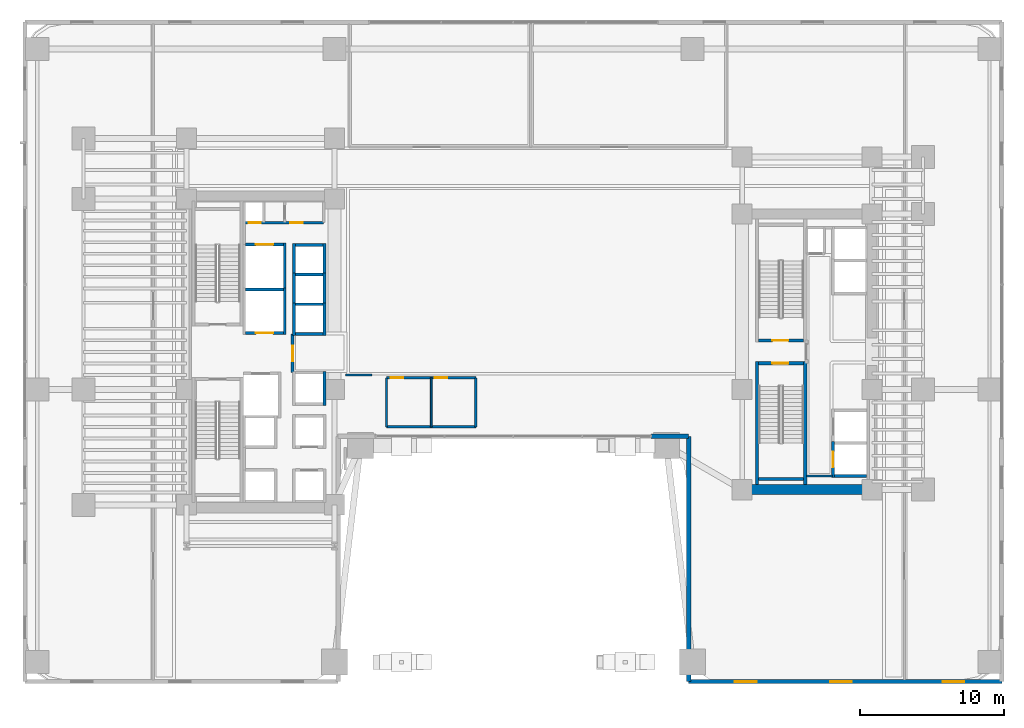
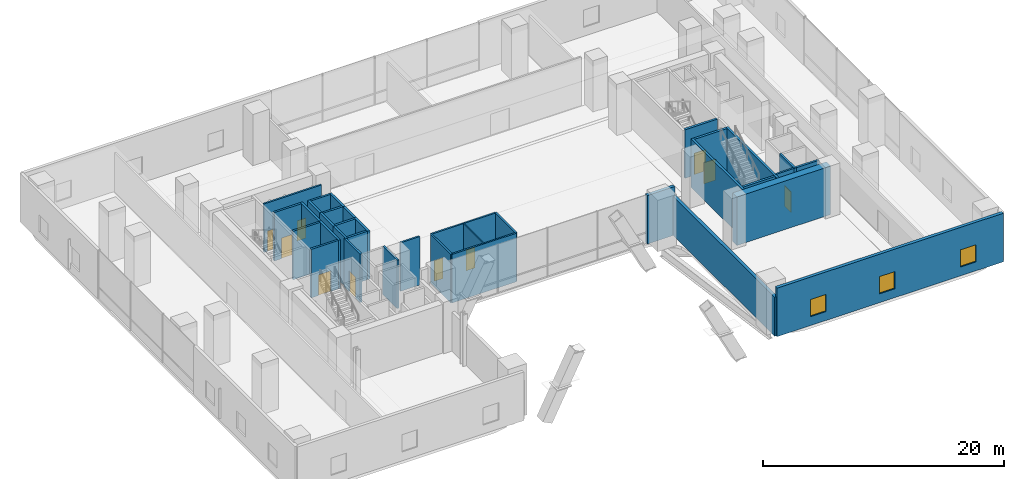
# One storey, part 27 of 39: 36 walls, 10 doors, 3 windows, 13 openings.
"""IFC4 building model written with IfcOpenShell, lengths in metres."""

from ifc_helpers import new_model, si_unit, direction, frame, frame_2d, origin, place, context, subcontext, project, spatial, rectangle, extrude, material, layer, layer_set, type_object, element, fill, save


model = new_model("IFC4")

# Units and contexts
model_context = context("Model", 3, precision=1e-05, world=origin(), true_north=direction((0.0, 1.0)))
body_context = subcontext(model_context, "Body", "Model", "MODEL_VIEW")
ifc_project = project(units=[si_unit("LENGTHUNIT", "METRE"), si_unit("AREAUNIT", "SQUARE_METRE"), si_unit("VOLUMEUNIT", "CUBIC_METRE"), si_unit("PLANEANGLEUNIT", "RADIAN"), si_unit("MASSUNIT", "GRAM", prefix="KILO")], contexts=[model_context])

# Site, building, storey
site_placement = place(None, origin())
site = spatial("IfcSite", under=ifc_project, at=site_placement, CompositionType="ELEMENT")
building_placement = place(site_placement, origin())
building = spatial("IfcBuilding", under=site, at=building_placement, Name="Valdorenza Pilgrim Sanctuary Tower", CompositionType="ELEMENT")
storey_placement = place(building_placement, frame((0.0, 0.0, 10.39990234375)))
storey = spatial("IfcBuildingStorey", under=building, at=storey_placement, Name="L02", CompositionType="ELEMENT", Elevation=10.39990234375)

# Wall, openings, doors
ifc_material_1 = material(Name="Acoustic twin-stud gypsum partition", Category="gypsum")
ifc_layer_1 = layer(ifc_material_1, 0.159912109375, Name="Acoustic twin-stud gypsum partition")
ifc_layer_set_1 = layer_set([ifc_layer_1], Name="Acoustic twin-stud gypsum partition")
wall_type_1 = type_object("IfcWallType", Name="WAL-COR-160", PredefinedType="PARTITIONING", material=ifc_layer_set_1)
wall_1_placement = place(storey_placement, frame((-18.64990234375, 8.949951171875, 0.0), z_axis=(0.0, 0.0, 1.0), x_axis=(1.0, 0.0, 0.0)))
wall_1 = element("IfcWall", 1, at=wall_1_placement, inside=storey, type_object=wall_type_1, Name="L02 Core A North Service South Wall", PredefinedType="PARTITIONING", context=body_context, shape_type="SweptSolid", body=[
    extrude(rectangle(XDim=5.5, YDim=0.159912109375, at=frame_2d((2.75, 0.0))), origin(), (0.0, 0.0, 1.0), 4.920166015625),
])
opening_1_placement = place(wall_1_placement, frame((0.300048828125, 0.0, 0.0)))
opening_1 = element("IfcOpeningElement", 2, at=opening_1_placement, cuts=wall_1, Name="Opening DR-RS1", PredefinedType="OPENING", context=body_context, shape_type="SweptSolid", body=[
    extrude(rectangle(XDim=0.85009765625, YDim=2.050048828125, at=frame_2d((0.425048828125, 1.02490234375))), frame((0.0, 0.0947265625, 0.0), z_axis=(0.0, -1.0, 0.0), x_axis=(1.0, 0.0, 0.0)), (0.0, 0.0, 1.0), 0.189697265625),
])
opening_2_placement = place(wall_1_placement, frame((3.199951171875, 0.0, 0.0)))
opening_2 = element("IfcOpeningElement", 3, at=opening_2_placement, cuts=wall_1, Name="Opening DR-RS1", PredefinedType="OPENING", context=body_context, shape_type="SweptSolid", body=[
    extrude(rectangle(XDim=0.85009765625, YDim=2.050048828125, at=frame_2d((0.425048828125, 1.02490234375))), frame((0.0, 0.0947265625, 0.0), z_axis=(0.0, -1.0, 0.0), x_axis=(1.0, 0.0, 0.0)), (0.0, 0.0, 1.0), 0.189697265625),
])
ifc_material_2 = material(Name="Painted galvanized steel", Category="steel")
door_type_1 = type_object("IfcDoorType", Name="DR-RSR-850", OperationType="NOTDEFINED", PredefinedType="DOOR", material=ifc_material_2)
door_1_placement = place(opening_1_placement, origin())
door_1 = element("IfcDoor", 4, at=door_1_placement, inside=storey, type_object=door_type_1, Name="L02 Core Electrical and Telecom Riser Door", OperationType="SINGLE_SWING_LEFT", OverallHeight=2.050048828125, OverallWidth=0.85009765625, PredefinedType="DOOR", context=body_context, shape_type="SweptSolid", body=[
    extrude(rectangle(XDim=0.85009765625, YDim=2.050048828125, at=frame_2d((0.425048828125, 1.02490234375))), frame((0.0, 0.02490234375, 0.0), z_axis=(0.0, -1.0, 0.0), x_axis=(1.0, 0.0, 0.0)), (0.0, 0.0, 1.0), 0.050048828125),
])
fill(opening_1, door_1)
door_2_placement = place(opening_2_placement, origin())
door_2 = element("IfcDoor", 5, at=door_2_placement, inside=storey, type_object=door_type_1, Name="L02 Core Janitor and Maintenance Store Door", OperationType="SINGLE_SWING_RIGHT", OverallHeight=2.050048828125, OverallWidth=0.85009765625, PredefinedType="DOOR", context=body_context, shape_type="SweptSolid", body=[
    extrude(rectangle(XDim=0.85009765625, YDim=2.050048828125, at=frame_2d((0.425048828125, 1.02490234375))), frame((0.0, 0.02490234375, 0.0), z_axis=(0.0, -1.0, 0.0), x_axis=(1.0, 0.0, 0.0)), (0.0, 0.0, 1.0), 0.050048828125),
])
fill(opening_2, door_2)

# Walls
wall_2_placement = place(storey_placement, frame((20.300048828125, -8.60009765625, 0.0), z_axis=(0.0, 0.0, 1.0), x_axis=(1.0, 0.0, 0.0)))
element("IfcWall", 6, at=wall_2_placement, inside=storey, type_object=wall_type_1, Name="L02 Core B Lift Hall South End Wall", PredefinedType="PARTITIONING", context=body_context, shape_type="SweptSolid", body=[
    extrude(rectangle(XDim=1.820068359375, YDim=0.159912109375, at=frame_2d((0.91015625, 0.0))), origin(), (0.0, 0.0, 1.0), 4.920166015625),
])
for number, where, z_axis, x_axis, name in (
    (7, (-8.800048828125, -5.199951171875, 0.0), (0.0, 0.0, 1.0), (0.0, 1.0, 0.0), "L02 Washroom West Wall"),
    (8, (-2.60009765625, -5.199951171875, 0.0), (0.0, 0.0, 1.0), (0.0, 1.0, 0.0), "L02 Washroom East Wall"),
):
    element("IfcWall", number, at=place(storey_placement, frame(where, z_axis=z_axis, x_axis=x_axis)), inside=storey, type_object=wall_type_1, Name=name, PredefinedType="PARTITIONING", context=body_context, shape_type="SweptSolid", body=[
        extrude(rectangle(XDim=3.39990234375, YDim=0.159912109375, at=frame_2d((1.699951171875, 0.0))), origin(), (0.0, 0.0, 1.0), 4.920166015625),
    ])
wall_3_placement = place(storey_placement, frame((-8.800048828125, -5.199951171875, 0.0), z_axis=(0.0, 0.0, 1.0), x_axis=(1.0, 0.0, 0.0)))
element("IfcWall", 9, at=wall_3_placement, inside=storey, type_object=wall_type_1, Name="L02 Washroom South Wall", PredefinedType="PARTITIONING", context=body_context, shape_type="SweptSolid", body=[
    extrude(rectangle(XDim=6.199951171875, YDim=0.159912109375, at=frame_2d((3.10009765625, 0.0))), origin(), (0.0, 0.0, 1.0), 4.920166015625),
])

# Wall, openings, doors
wall_4_placement = place(storey_placement, frame((-8.800048828125, -1.800048828125, 0.0), z_axis=(0.0, 0.0, 1.0), x_axis=(1.0, 0.0, 0.0)))
wall_4 = element("IfcWall", 10, at=wall_4_placement, inside=storey, type_object=wall_type_1, Name="L02 Washroom North Wall", PredefinedType="PARTITIONING", context=body_context, shape_type="SweptSolid", body=[
    extrude(rectangle(XDim=6.199951171875, YDim=0.159912109375, at=frame_2d((3.10009765625, 0.0))), origin(), (0.0, 0.0, 1.0), 4.920166015625),
])
opening_3_placement = place(wall_4_placement, frame((0.300048828125, 0.0, 0.0)))
opening_3 = element("IfcOpeningElement", 11, at=opening_3_placement, cuts=wall_4, Name="Opening DR-WC1", PredefinedType="OPENING", context=body_context, shape_type="SweptSolid", body=[
    extrude(rectangle(XDim=0.85009765625, YDim=2.10009765625, at=frame_2d((0.425048828125, 1.050048828125))), frame((0.0, 0.0947265625, 0.0), z_axis=(0.0, -1.0, 0.0), x_axis=(1.0, 0.0, 0.0)), (0.0, 0.0, 1.0), 0.189697265625),
])
opening_4_placement = place(wall_4_placement, frame((3.35009765625, 0.0, 0.0)))
opening_4 = element("IfcOpeningElement", 12, at=opening_4_placement, cuts=wall_4, Name="Opening DR-WC1", PredefinedType="OPENING", context=body_context, shape_type="SweptSolid", body=[
    extrude(rectangle(XDim=0.85009765625, YDim=2.10009765625, at=frame_2d((0.425048828125, 1.050048828125))), frame((0.0, 0.0947265625, 0.0), z_axis=(0.0, -1.0, 0.0), x_axis=(1.0, 0.0, 0.0)), (0.0, 0.0, 1.0), 0.189697265625),
])
ifc_material_3 = material(Name="Moisture-resistant lacquered timber", Category="wood")
door_type_2 = type_object("IfcDoorType", Name="DR-BATH-850", OperationType="NOTDEFINED", PredefinedType="DOOR", material=ifc_material_3)
door_3_placement = place(opening_3_placement, origin())
door_3 = element("IfcDoor", 13, at=door_3_placement, inside=storey, type_object=door_type_2, Name="L02 Accessible Washroom Door", OperationType="SINGLE_SWING_RIGHT", OverallHeight=2.10009765625, OverallWidth=0.85009765625, PredefinedType="DOOR", context=body_context, shape_type="SweptSolid", body=[
    extrude(rectangle(XDim=0.85009765625, YDim=2.10009765625, at=frame_2d((0.425048828125, 1.050048828125))), frame((0.0, 0.02490234375, 0.0), z_axis=(0.0, -1.0, 0.0), x_axis=(1.0, 0.0, 0.0)), (0.0, 0.0, 1.0), 0.050048828125),
])
fill(opening_3, door_3)
door_4_placement = place(opening_4_placement, origin())
door_4 = element("IfcDoor", 14, at=door_4_placement, inside=storey, type_object=door_type_2, Name="L02 Public Washroom Door", OperationType="SINGLE_SWING_LEFT", OverallHeight=2.10009765625, OverallWidth=0.85009765625, PredefinedType="DOOR", context=body_context, shape_type="SweptSolid", body=[
    extrude(rectangle(XDim=0.85009765625, YDim=2.10009765625, at=frame_2d((0.425048828125, 1.050048828125))), frame((0.0, 0.02490234375, 0.0), z_axis=(0.0, -1.0, 0.0), x_axis=(1.0, 0.0, 0.0)), (0.0, 0.0, 1.0), 0.050048828125),
])
fill(opening_4, door_4)

# Walls
wall_5_placement = place(storey_placement, frame((-11.64990234375, -1.60009765625, 0.0), z_axis=(0.0, 0.0, 1.0), x_axis=(1.0, 0.0, 0.0)))
element("IfcWall", 15, at=wall_5_placement, inside=storey, type_object=wall_type_1, Name="L02 L02 Concourse South Closure", PredefinedType="PARTITIONING", context=body_context, shape_type="SweptSolid", body=[
    extrude(rectangle(XDim=1.849853515625, YDim=0.159912109375, at=frame_2d((0.9248046875, 0.0))), origin(), (0.0, 0.0, 1.0), 4.920166015625),
])
ifc_material_4 = material(Name="Concrete C60/75", Category="concrete")
ifc_layer_2 = layer(ifc_material_4, 0.699951171875, Name="Concrete C60/75")
ifc_layer_set_2 = layer_set([ifc_layer_2], Name="Concrete C60/75")
wall_type_2 = type_object("IfcWallType", Name="WAL-COR-700", PredefinedType="SHEAR", material=ifc_layer_set_2)
wall_6_placement = place(storey_placement, frame((15.85009765625, -9.550048828125, 0.0), z_axis=(0.0, 0.0, 1.0), x_axis=(1.0, 0.0, 0.0)))
element("IfcWall", 16, at=wall_6_placement, inside=storey, type_object=wall_type_2, Name="L02 Split Core B Shear Wall S", PredefinedType="SHEAR", context=body_context, shape_type="SweptSolid", body=[
    extrude(rectangle(XDim=9.0, YDim=0.699951171875, at=frame_2d((4.5, 0.0))), origin(), (0.0, 0.0, 1.0), 4.920166015625),
])

# Wall, openings, windows
ifc_material_5 = material(Name="Honed travertine limestone", Category="masonry")
ifc_layer_3 = layer(ifc_material_5, 0.300048828125, Name="Honed travertine limestone")
ifc_layer_set_3 = layer_set([ifc_layer_3], Name="Honed travertine limestone")
wall_type_3 = type_object("IfcWallType", Name="WAL-EXT-300", PredefinedType="SOLIDWALL", material=ifc_layer_set_3)
wall_7_placement = place(storey_placement, frame((12.14990234375, -22.85009765625, 0.0), z_axis=(0.0, 0.0, 1.0), x_axis=(1.0, 0.0, 0.0)))
wall_7 = element("IfcWall", 17, at=wall_7_placement, inside=storey, type_object=wall_type_3, Name="L02 Podium Honed Travertine Stone Wall S-E", PredefinedType="SOLIDWALL", context=body_context, shape_type="SweptSolid", body=[
    extrude(rectangle(XDim=21.7001953125, YDim=0.300048828125, at=frame_2d((10.85009765625, 0.0))), origin(), (0.0, 0.0, 1.0), 4.920166015625),
])
opening_5_placement = place(wall_7_placement, frame((3.199951171875, 0.0, 0.89990234375)))
opening_5 = element("IfcOpeningElement", 18, at=opening_5_placement, cuts=wall_7, Name="Opening WN-VS1", PredefinedType="OPENING", context=body_context, shape_type="SweptSolid", body=[
    extrude(rectangle(XDim=1.5, YDim=1.75, at=frame_2d((0.75, 0.875))), frame((0.0, 0.1650390625, 0.0), z_axis=(0.0, -1.0, 0.0), x_axis=(1.0, 0.0, 0.0)), (0.0, 0.0, 1.0), 0.329833984375),
])
opening_6_placement = place(wall_7_placement, frame((9.800048828125, 0.0, 0.89990234375)))
opening_6 = element("IfcOpeningElement", 19, at=opening_6_placement, cuts=wall_7, Name="Opening WN-VS1", PredefinedType="OPENING", context=body_context, shape_type="SweptSolid", body=[
    extrude(rectangle(XDim=1.5, YDim=1.75, at=frame_2d((0.75, 0.875))), frame((0.0, 0.1650390625, 0.0), z_axis=(0.0, -1.0, 0.0), x_axis=(1.0, 0.0, 0.0)), (0.0, 0.0, 1.0), 0.329833984375),
])
opening_7_placement = place(wall_7_placement, frame((17.60009765625, 0.0, 0.89990234375)))
opening_7 = element("IfcOpeningElement", 20, at=opening_7_placement, cuts=wall_7, Name="Opening WN-VS1", PredefinedType="OPENING", context=body_context, shape_type="SweptSolid", body=[
    extrude(rectangle(XDim=1.5, YDim=1.75, at=frame_2d((0.75, 0.875))), frame((0.0, 0.1650390625, 0.0), z_axis=(0.0, -1.0, 0.0), x_axis=(1.0, 0.0, 0.0)), (0.0, 0.0, 1.0), 0.329833984375),
])
ifc_material_6 = material(Name="Ceramic-fritted low-E IGU glazing", Category="glass")
window_type = type_object("IfcWindowType", Name="WIN-VIS-1500", PartitioningType="SINGLE_PANEL", PredefinedType="WINDOW", material=ifc_material_6)
window_1_placement = place(opening_5_placement, origin())
window_1 = element("IfcWindow", 21, at=window_1_placement, inside=storey, type_object=window_type, Name="L02 Podium Stone Vision Window S-E-1", OverallHeight=1.75, OverallWidth=1.5, PartitioningType="SINGLE_PANEL", PredefinedType="WINDOW", context=body_context, shape_type="SweptSolid", body=[
    extrude(rectangle(XDim=1.5, YDim=1.75, at=frame_2d((0.75, 0.875))), frame((0.0, 0.030029296875, 0.0), z_axis=(0.0, -1.0, 0.0), x_axis=(1.0, 0.0, 0.0)), (0.0, 0.0, 1.0), 0.06005859375),
])
fill(opening_5, window_1)
window_2_placement = place(opening_6_placement, origin())
window_2 = element("IfcWindow", 22, at=window_2_placement, inside=storey, type_object=window_type, Name="L02 Podium Stone Vision Window S-E-2", OverallHeight=1.75, OverallWidth=1.5, PartitioningType="SINGLE_PANEL", PredefinedType="WINDOW", context=body_context, shape_type="SweptSolid", body=[
    extrude(rectangle(XDim=1.5, YDim=1.75, at=frame_2d((0.75, 0.875))), frame((0.0, 0.030029296875, 0.0), z_axis=(0.0, -1.0, 0.0), x_axis=(1.0, 0.0, 0.0)), (0.0, 0.0, 1.0), 0.06005859375),
])
fill(opening_6, window_2)
window_3_placement = place(opening_7_placement, origin())
window_3 = element("IfcWindow", 23, at=window_3_placement, inside=storey, type_object=window_type, Name="L02 Podium Stone Vision Window S-E-3", OverallHeight=1.75, OverallWidth=1.5, PartitioningType="SINGLE_PANEL", PredefinedType="WINDOW", context=body_context, shape_type="SweptSolid", body=[
    extrude(rectangle(XDim=1.5, YDim=1.75, at=frame_2d((0.75, 0.875))), frame((0.0, 0.030029296875, 0.0), z_axis=(0.0, -1.0, 0.0), x_axis=(1.0, 0.0, 0.0)), (0.0, 0.0, 1.0), 0.06005859375),
])
fill(opening_7, window_3)

# Walls
wall_8_placement = place(storey_placement, frame((12.14990234375, -22.85009765625, 0.0), z_axis=(0.0, 0.0, 1.0), x_axis=(0.0, 1.0, 0.0)))
element("IfcWall", 24, at=wall_8_placement, inside=storey, type_object=wall_type_3, Name="L02 Portal Arch Stone Cheek Wall ARCH-E", PredefinedType="SOLIDWALL", context=body_context, shape_type="SweptSolid", body=[
    extrude(rectangle(XDim=17.0, YDim=0.300048828125, at=frame_2d((8.5, 0.0))), origin(), (0.0, 0.0, 1.0), 3.95703125),
])
wall_9_placement = place(storey_placement, frame((9.52001953125, -5.85009765625, 0.0), z_axis=(0.0, 0.0, 1.0), x_axis=(1.0, 0.0, 0.0)))
element("IfcWall", 25, at=wall_9_placement, inside=storey, type_object=wall_type_3, Name="L02 Arch Pier East Stone Jamb", PredefinedType="SOLIDWALL", context=body_context, shape_type="SweptSolid", body=[
    extrude(rectangle(XDim=2.6298828125, YDim=0.300048828125, at=frame_2d((1.31494140625, 0.0))), origin(), (0.0, 0.0, 1.0), 4.920166015625),
])

# Wall, opening, door
ifc_material_7 = material(Name="Gypsum shaftwall partition", Category="gypsum")
ifc_layer_4 = layer(ifc_material_7, 0.199951171875, Name="Gypsum shaftwall partition")
ifc_layer_set_4 = layer_set([ifc_layer_4], Name="Gypsum shaftwall partition")
wall_type_4 = type_object("IfcWallType", Name="WAL-FFL-200", PredefinedType="PARTITIONING", material=ifc_layer_set_4)
wall_10_placement = place(storey_placement, frame((-15.300048828125, -1.419921875, 0.0), z_axis=(0.0, 0.0, 1.0), x_axis=(0.0, 1.0, 0.0)))
wall_10 = element("IfcWall", 26, at=wall_10_placement, inside=storey, type_object=wall_type_4, Name="L02 Core A Firefighting Lobby East Wall", PredefinedType="PARTITIONING", context=body_context, shape_type="SweptSolid", body=[
    extrude(rectangle(XDim=2.669921875, YDim=0.199951171875, at=frame_2d((1.3349609375, 0.0))), origin(), (0.0, 0.0, 1.0), 4.920166015625),
])
opening_8_placement = place(wall_10_placement, frame((0.780029296875, 0.0, 0.0)))
opening_8 = element("IfcOpeningElement", 27, at=opening_8_placement, cuts=wall_10, Name="Opening DR-FL1", PredefinedType="OPENING", context=body_context, shape_type="SweptSolid", body=[
    extrude(rectangle(XDim=1.050048828125, YDim=2.14990234375, at=frame_2d((0.52490234375, 1.074951171875))), frame((0.0, 0.11474609375, 0.0), z_axis=(0.0, -1.0, 0.0), x_axis=(1.0, 0.0, 0.0)), (0.0, 0.0, 1.0), 0.229736328125),
])
door_type_3 = type_object("IfcDoorType", Name="DR-FFL-1050", OperationType="NOTDEFINED", PredefinedType="DOOR", material=ifc_material_2)
door_5_placement = place(opening_8_placement, origin())
door_5 = element("IfcDoor", 28, at=door_5_placement, inside=storey, type_object=door_type_3, Name="L02 Core A Firefighting Lobby Door", OperationType="SINGLE_SWING_RIGHT", OverallHeight=2.14990234375, OverallWidth=1.050048828125, PredefinedType="DOOR", context=body_context, shape_type="SweptSolid", body=[
    extrude(rectangle(XDim=1.050048828125, YDim=2.14990234375, at=frame_2d((0.52490234375, 1.074951171875))), frame((0.0, 0.02490234375, 0.0), z_axis=(0.0, -1.0, 0.0), x_axis=(1.0, 0.0, 0.0)), (0.0, 0.0, 1.0), 0.050048828125),
])
fill(opening_8, door_5)

# Walls
ifc_material_8 = material(Name="Moisture-resistant gypsum partition", Category="gypsum")
ifc_layer_5 = layer(ifc_material_8, 0.1201171875, Name="Moisture-resistant gypsum partition")
ifc_layer_set_5 = layer_set([ifc_layer_5], Name="Moisture-resistant gypsum partition")
wall_type_5 = type_object("IfcWallType", Name="WAL-INT-120", PredefinedType="PARTITIONING", material=ifc_layer_set_5)
wall_11_placement = place(storey_placement, frame((-5.699951171875, -5.199951171875, 0.0), z_axis=(0.0, 0.0, 1.0), x_axis=(0.0, 1.0, 0.0)))
element("IfcWall", 29, at=wall_11_placement, inside=storey, type_object=wall_type_5, Name="L02 Washroom Divider Wall", PredefinedType="PARTITIONING", context=body_context, shape_type="SweptSolid", body=[
    extrude(rectangle(XDim=3.39990234375, YDim=0.1201171875, at=frame_2d((1.699951171875, 0.0))), origin(), (0.0, 0.0, 1.0), 4.920166015625),
])
ifc_material_9 = material(Name="Autoclaved aerated concrete blockwork", Category="masonry")
ifc_layer_6 = layer(ifc_material_9, 0.199951171875, Name="Autoclaved aerated concrete blockwork")
ifc_layer_set_6 = layer_set([ifc_layer_6], Name="Autoclaved aerated concrete blockwork")
wall_type_6 = type_object("IfcWallType", Name="WAL-SHF-200", PredefinedType="MOVABLE", material=ifc_layer_set_6)
wall_12_placement = place(storey_placement, frame((-15.85009765625, 1.199951171875, 0.0), z_axis=(0.0, 0.0, 1.0), x_axis=(0.0, 1.0, 0.0)))
element("IfcWall", 30, at=wall_12_placement, inside=storey, type_object=wall_type_6, Name="L02 Lift FFL-01 Hoistway Wall East", PredefinedType="MOVABLE", context=body_context, shape_type="SweptSolid", body=[
    extrude(rectangle(XDim=3.22509765625, YDim=0.199951171875, at=frame_2d((1.612548828125, 0.0))), origin(), (0.0, 0.0, 1.0), 4.920166015625),
])

# Wall, opening, door
wall_13_placement = place(storey_placement, frame((-18.550048828125, 1.300048828125, 0.0), z_axis=(0.0, 0.0, 1.0), x_axis=(1.0, 0.0, 0.0)))
wall_13 = element("IfcWall", 31, at=wall_13_placement, inside=storey, type_object=wall_type_6, Name="L02 Lift FFL-01 Hoistway Wall South", PredefinedType="MOVABLE", context=body_context, shape_type="SweptSolid", body=[
    extrude(rectangle(XDim=2.60009765625, YDim=0.199951171875, at=frame_2d((1.300048828125, 0.0))), origin(), (0.0, 0.0, 1.0), 4.920166015625),
])
opening_9_placement = place(wall_13_placement, frame((0.699951171875, 0.0, 0.0)))
opening_9 = element("IfcOpeningElement", 32, at=opening_9_placement, cuts=wall_13, Name="Opening LD-02", PredefinedType="OPENING", context=body_context, shape_type="SweptSolid", body=[
    extrude(rectangle(XDim=1.199951171875, YDim=2.10009765625, at=frame_2d((0.60009765625, 1.050048828125))), frame((0.0, 0.11474609375, 0.0), z_axis=(0.0, -1.0, 0.0), x_axis=(1.0, 0.0, 0.0)), (0.0, 0.0, 1.0), 0.229736328125),
])
ifc_material_10 = material(Name="Brushed stainless steel Grade 316", Category="steel")
door_type_4 = type_object("IfcDoorType", Name="DR-LFT-1200", OperationType="DOUBLE_DOOR_SLIDING", PredefinedType="DOOR", material=ifc_material_10)
door_6_placement = place(opening_9_placement, origin())
door_6 = element("IfcDoor", 33, at=door_6_placement, inside=storey, type_object=door_type_4, Name="L02 Lift FFL-01 Sliding Landing Door", OperationType="DOUBLE_DOOR_SLIDING", OverallHeight=2.10009765625, OverallWidth=1.199951171875, PredefinedType="DOOR", context=body_context, shape_type="SweptSolid", body=[
    extrude(rectangle(XDim=1.199951171875, YDim=2.10009765625, at=frame_2d((0.60009765625, 1.050048828125))), frame((0.0, 0.02490234375, 0.0), z_axis=(0.0, -1.0, 0.0), x_axis=(1.0, 0.0, 0.0)), (0.0, 0.0, 1.0), 0.050048828125),
])
fill(opening_9, door_6)

# Walls
wall_14_placement = place(storey_placement, frame((-18.550048828125, 4.324951171875, 0.0), z_axis=(0.0, 0.0, 1.0), x_axis=(1.0, 0.0, 0.0)))
element("IfcWall", 34, at=wall_14_placement, inside=storey, type_object=wall_type_6, Name="L02 Lift FFL-01 Hoistway Wall North", PredefinedType="MOVABLE", context=body_context, shape_type="SweptSolid", body=[
    extrude(rectangle(XDim=2.60009765625, YDim=0.199951171875, at=frame_2d((1.300048828125, 0.0))), origin(), (0.0, 0.0, 1.0), 4.920166015625),
])
wall_15_placement = place(storey_placement, frame((-15.85009765625, 4.22509765625, 0.0), z_axis=(0.0, 0.0, 1.0), x_axis=(0.0, 1.0, 0.0)))
element("IfcWall", 35, at=wall_15_placement, inside=storey, type_object=wall_type_6, Name="L02 Lift SVL-01 Hoistway Wall East", PredefinedType="MOVABLE", context=body_context, shape_type="SweptSolid", body=[
    extrude(rectangle(XDim=3.324951171875, YDim=0.199951171875, at=frame_2d((1.66259765625, 0.0))), origin(), (0.0, 0.0, 1.0), 4.920166015625),
])

# Wall, opening, door
wall_16_placement = place(storey_placement, frame((-18.550048828125, 7.449951171875, 0.0), z_axis=(0.0, 0.0, 1.0), x_axis=(1.0, 0.0, 0.0)))
wall_16 = element("IfcWall", 36, at=wall_16_placement, inside=storey, type_object=wall_type_6, Name="L02 Lift SVL-01 Hoistway Wall North", PredefinedType="MOVABLE", context=body_context, shape_type="SweptSolid", body=[
    extrude(rectangle(XDim=2.60009765625, YDim=0.199951171875, at=frame_2d((1.300048828125, 0.0))), origin(), (0.0, 0.0, 1.0), 4.920166015625),
])
opening_10_placement = place(wall_16_placement, frame((0.699951171875, 0.0, 0.0)))
opening_10 = element("IfcOpeningElement", 37, at=opening_10_placement, cuts=wall_16, Name="Opening LD-02", PredefinedType="OPENING", context=body_context, shape_type="SweptSolid", body=[
    extrude(rectangle(XDim=1.199951171875, YDim=2.10009765625, at=frame_2d((0.60009765625, 1.050048828125))), frame((0.0, 0.11474609375, 0.0), z_axis=(0.0, -1.0, 0.0), x_axis=(1.0, 0.0, 0.0)), (0.0, 0.0, 1.0), 0.229736328125),
])
door_7_placement = place(opening_10_placement, origin())
door_7 = element("IfcDoor", 38, at=door_7_placement, inside=storey, type_object=door_type_4, Name="L02 Lift SVL-01 Sliding Landing Door", OperationType="DOUBLE_DOOR_SLIDING", OverallHeight=2.10009765625, OverallWidth=1.199951171875, PredefinedType="DOOR", context=body_context, shape_type="SweptSolid", body=[
    extrude(rectangle(XDim=1.199951171875, YDim=2.10009765625, at=frame_2d((0.60009765625, 1.050048828125))), frame((0.0, 0.02490234375, 0.0), z_axis=(0.0, -1.0, 0.0), x_axis=(1.0, 0.0, 0.0)), (0.0, 0.0, 1.0), 0.050048828125),
])
fill(opening_10, door_7)

wall_17_placement = place(storey_placement, frame((22.14990234375, -8.699951171875, 0.0), z_axis=(0.0, 0.0, 1.0), x_axis=(0.0, 1.0, 0.0)))
wall_17 = element("IfcWall", 39, at=wall_17_placement, inside=storey, type_object=wall_type_6, Name="L02 Lift PL-03 Hoistway Wall West", PredefinedType="MOVABLE", context=body_context, shape_type="SweptSolid", body=[
    extrude(rectangle(XDim=2.474853515625, YDim=0.199951171875, at=frame_2d((1.2373046875, 0.0))), origin(), (0.0, 0.0, 1.0), 4.920166015625),
])
opening_11_placement = place(wall_17_placement, frame((0.6875, 0.0, 0.0)))
opening_11 = element("IfcOpeningElement", 40, at=opening_11_placement, cuts=wall_17, Name="Opening LD-01", PredefinedType="OPENING", context=body_context, shape_type="SweptSolid", body=[
    extrude(rectangle(XDim=1.10009765625, YDim=2.10009765625, at=frame_2d((0.550048828125, 1.050048828125))), frame((0.0, 0.11474609375, 0.0), z_axis=(0.0, -1.0, 0.0), x_axis=(1.0, 0.0, 0.0)), (0.0, 0.0, 1.0), 0.229736328125),
])
door_type_5 = type_object("IfcDoorType", Name="DR-LFT-1100", OperationType="DOUBLE_DOOR_SLIDING", PredefinedType="DOOR", material=ifc_material_10)
door_8_placement = place(opening_11_placement, origin())
door_8 = element("IfcDoor", 41, at=door_8_placement, inside=storey, type_object=door_type_5, Name="L02 Lift PL-03 Sliding Landing Door", OperationType="DOUBLE_DOOR_SLIDING", OverallHeight=2.10009765625, OverallWidth=1.10009765625, PredefinedType="DOOR", context=body_context, shape_type="SweptSolid", body=[
    extrude(rectangle(XDim=1.10009765625, YDim=2.10009765625, at=frame_2d((0.550048828125, 1.050048828125))), frame((0.0, 0.02490234375, 0.0), z_axis=(0.0, -1.0, 0.0), x_axis=(1.0, 0.0, 0.0)), (0.0, 0.0, 1.0), 0.050048828125),
])
fill(opening_11, door_8)

# Walls
wall_18_placement = place(storey_placement, frame((22.25, -8.60009765625, 0.0), z_axis=(0.0, 0.0, 1.0), x_axis=(1.0, 0.0, 0.0)))
element("IfcWall", 42, at=wall_18_placement, inside=storey, type_object=wall_type_6, Name="L02 Lift PL-03 Hoistway Wall South", PredefinedType="MOVABLE", context=body_context, shape_type="SweptSolid", body=[
    extrude(rectangle(XDim=2.22998046875, YDim=0.199951171875, at=frame_2d((1.114990234375, 0.0))), origin(), (0.0, 0.0, 1.0), 4.920166015625),
])
for number, where, z_axis, x_axis, name in (
    (43, (-15.199951171875, 1.14990234375, 0.0), (0.0, 0.0, 1.0), (0.0, 1.0, 0.0), "L02 Lift PL-06 Hoistway Wall West"),
    (44, (-13.080078125, 1.14990234375, 0.0), (0.0, 0.0, 1.0), (0.0, 1.0, 0.0), "L02 Lift PL-06 Hoistway Wall East"),
):
    element("IfcWall", number, at=place(storey_placement, frame(where, z_axis=z_axis, x_axis=x_axis)), inside=storey, type_object=wall_type_6, Name=name, PredefinedType="MOVABLE", context=body_context, shape_type="SweptSolid", body=[
        extrude(rectangle(XDim=2.25, YDim=0.199951171875, at=frame_2d((1.125, 0.0))), origin(), (0.0, 0.0, 1.0), 4.920166015625),
    ])
wall_19_placement = place(storey_placement, frame((-15.10009765625, 1.25, 0.0), z_axis=(0.0, 0.0, 1.0), x_axis=(1.0, 0.0, 0.0)))
element("IfcWall", 45, at=wall_19_placement, inside=storey, type_object=wall_type_6, Name="L02 Lift PL-06 Hoistway Wall South", PredefinedType="MOVABLE", context=body_context, shape_type="SweptSolid", body=[
    extrude(rectangle(XDim=1.920166015625, YDim=0.199951171875, at=frame_2d((0.9599609375, 0.0))), origin(), (0.0, 0.0, 1.0), 4.920166015625),
])
for number, where, z_axis, x_axis, name in (
    (46, (-15.199951171875, 3.199951171875, 0.0), (0.0, 0.0, 1.0), (0.0, 1.0, 0.0), "L02 Lift PL-09 Hoistway Wall West"),
    (47, (-13.080078125, 3.199951171875, 0.0), (0.0, 0.0, 1.0), (0.0, 1.0, 0.0), "L02 Lift PL-09 Hoistway Wall East"),
):
    element("IfcWall", number, at=place(storey_placement, frame(where, z_axis=z_axis, x_axis=x_axis)), inside=storey, type_object=wall_type_6, Name=name, PredefinedType="MOVABLE", context=body_context, shape_type="SweptSolid", body=[
        extrude(rectangle(XDim=2.25, YDim=0.199951171875, at=frame_2d((1.125, 0.0))), origin(), (0.0, 0.0, 1.0), 4.920166015625),
    ])
for number, where, z_axis, x_axis, name in (
    (48, (-15.10009765625, 3.300048828125, 0.0), (0.0, 0.0, 1.0), (1.0, 0.0, 0.0), "L02 Lift PL-09 Hoistway Wall South"),
    (49, (-15.10009765625, 5.35009765625, 0.0), (0.0, 0.0, 1.0), (1.0, 0.0, 0.0), "L02 Lift PL-09 Hoistway Wall North"),
):
    element("IfcWall", number, at=place(storey_placement, frame(where, z_axis=z_axis, x_axis=x_axis)), inside=storey, type_object=wall_type_6, Name=name, PredefinedType="MOVABLE", context=body_context, shape_type="SweptSolid", body=[
        extrude(rectangle(XDim=1.920166015625, YDim=0.199951171875, at=frame_2d((0.9599609375, 0.0))), origin(), (0.0, 0.0, 1.0), 4.920166015625),
    ])
for number, where, z_axis, x_axis, name in (
    (50, (-15.199951171875, 5.25, 0.0), (0.0, 0.0, 1.0), (0.0, 1.0, 0.0), "L02 Lift PL-10 Hoistway Wall West"),
    (51, (-13.080078125, 5.25, 0.0), (0.0, 0.0, 1.0), (0.0, 1.0, 0.0), "L02 Lift PL-10 Hoistway Wall East"),
):
    element("IfcWall", number, at=place(storey_placement, frame(where, z_axis=z_axis, x_axis=x_axis)), inside=storey, type_object=wall_type_6, Name=name, PredefinedType="MOVABLE", context=body_context, shape_type="SweptSolid", body=[
        extrude(rectangle(XDim=2.25, YDim=0.199951171875, at=frame_2d((1.125, 0.0))), origin(), (0.0, 0.0, 1.0), 4.920166015625),
    ])
wall_20_placement = place(storey_placement, frame((-15.10009765625, 7.39990234375, 0.0), z_axis=(0.0, 0.0, 1.0), x_axis=(1.0, 0.0, 0.0)))
element("IfcWall", 52, at=wall_20_placement, inside=storey, type_object=wall_type_6, Name="L02 Lift PL-10 Hoistway Wall North", PredefinedType="MOVABLE", context=body_context, shape_type="SweptSolid", body=[
    extrude(rectangle(XDim=1.920166015625, YDim=0.199951171875, at=frame_2d((0.9599609375, 0.0))), origin(), (0.0, 0.0, 1.0), 4.920166015625),
])
wall_21_placement = place(storey_placement, frame((-13.080078125, -3.699951171875, 0.0), z_axis=(0.0, 0.0, 1.0), x_axis=(0.0, 1.0, 0.0)))
element("IfcWall", 53, at=wall_21_placement, inside=storey, type_object=wall_type_6, Name="L02 Lift PL-12 Hoistway Wall East", PredefinedType="MOVABLE", context=body_context, shape_type="SweptSolid", body=[
    extrude(rectangle(XDim=2.349853515625, YDim=0.199951171875, at=frame_2d((1.1748046875, 0.0))), origin(), (0.0, 0.0, 1.0), 4.920166015625),
])

# Wall, opening, door
ifc_material_11 = material(Name="Concrete C40/50", Category="concrete")
ifc_layer_7 = layer(ifc_material_11, 0.219970703125, Name="Concrete C40/50")
ifc_layer_set_7 = layer_set([ifc_layer_7], Name="Concrete C40/50")
wall_type_7 = type_object("IfcWallType", Name="WAL-STR-SHF-220", PredefinedType="SHEAR", material=ifc_layer_set_7)
wall_22_placement = place(storey_placement, frame((17.0, 0.7900390625, 0.0), z_axis=(0.0, 0.0, 1.0), x_axis=(1.0, 0.0, 0.0)))
wall_22 = element("IfcWall", 54, at=wall_22_placement, inside=storey, type_object=wall_type_7, Name="L02 ST-B1 Structural Stairwell Wall S", PredefinedType="SHEAR", context=body_context, shape_type="SweptSolid", body=[
    extrude(rectangle(XDim=3.110107421875, YDim=0.219970703125, at=frame_2d((1.55517578125, 0.0))), origin(), (0.0, 0.0, 1.0), 4.920166015625),
])
opening_12_placement = place(wall_22_placement, frame((0.949951171875, 0.0, 0.0)))
opening_12 = element("IfcOpeningElement", 55, at=opening_12_placement, cuts=wall_22, Name="Opening DR-ST1", PredefinedType="OPENING", context=body_context, shape_type="SweptSolid", body=[
    extrude(rectangle(XDim=1.10009765625, YDim=2.14990234375, at=frame_2d((0.550048828125, 1.074951171875))), frame((0.0, 0.125, 0.0), z_axis=(0.0, -1.0, 0.0), x_axis=(1.0, 0.0, 0.0)), (0.0, 0.0, 1.0), 0.249755859375),
])
door_type_6 = type_object("IfcDoorType", Name="DR-STAIR-1100", OperationType="NOTDEFINED", PredefinedType="DOOR", material=ifc_material_2)
door_9_placement = place(opening_12_placement, frame((1.10009765625, 0.0, 0.0), z_axis=(0.0, 0.0, 1.0), x_axis=(-1.0, 0.0, 0.0)))
door_9 = element("IfcDoor", 56, at=door_9_placement, inside=storey, type_object=door_type_6, Name="L02 Exit Stair ST-B1 Door", OperationType="SINGLE_SWING_LEFT", OverallHeight=2.14990234375, OverallWidth=1.10009765625, PredefinedType="DOOR", context=body_context, shape_type="SweptSolid", body=[
    extrude(rectangle(XDim=1.10009765625, YDim=2.14990234375, at=frame_2d((0.550048828125, 1.074951171875))), frame((0.0, 0.02490234375, 0.0), z_axis=(0.0, -1.0, 0.0), x_axis=(1.0, 0.0, 0.0)), (0.0, 0.0, 1.0), 0.050048828125),
])
fill(opening_12, door_9)

# Walls
for number, where, z_axis, x_axis, name in (
    (57, (16.889892578125, -9.199951171875, 0.0), (0.0, 0.0, 1.0), (0.0, 1.0, 0.0), "L02 ST-B2 Structural Stairwell Wall W"),
    (58, (20.219970703125, -9.199951171875, 0.0), (0.0, 0.0, 1.0), (0.0, 1.0, 0.0), "L02 ST-B2 Structural Stairwell Wall E"),
):
    element("IfcWall", number, at=place(storey_placement, frame(where, z_axis=z_axis, x_axis=x_axis)), inside=storey, type_object=wall_type_7, Name=name, PredefinedType="SHEAR", context=body_context, shape_type="SweptSolid", body=[
        extrude(rectangle(XDim=8.52001953125, YDim=0.219970703125, at=frame_2d((4.260009765625, 0.0))), origin(), (0.0, 0.0, 1.0), 4.920166015625),
    ])
wall_23_placement = place(storey_placement, frame((17.0, -8.81005859375, 0.0), z_axis=(0.0, 0.0, 1.0), x_axis=(1.0, 0.0, 0.0)))
element("IfcWall", 59, at=wall_23_placement, inside=storey, type_object=wall_type_7, Name="L02 ST-B2 Structural Stairwell Wall S", PredefinedType="SHEAR", context=body_context, shape_type="SweptSolid", body=[
    extrude(rectangle(XDim=3.110107421875, YDim=0.219970703125, at=frame_2d((1.55517578125, 0.0))), origin(), (0.0, 0.0, 1.0), 4.920166015625),
])

# Wall, opening, door
wall_24_placement = place(storey_placement, frame((17.0, -0.7900390625, 0.0), z_axis=(0.0, 0.0, 1.0), x_axis=(1.0, 0.0, 0.0)))
wall_24 = element("IfcWall", 60, at=wall_24_placement, inside=storey, type_object=wall_type_7, Name="L02 ST-B2 Structural Stairwell Wall N", PredefinedType="SHEAR", context=body_context, shape_type="SweptSolid", body=[
    extrude(rectangle(XDim=3.110107421875, YDim=0.219970703125, at=frame_2d((1.55517578125, 0.0))), origin(), (0.0, 0.0, 1.0), 4.920166015625),
])
opening_13_placement = place(wall_24_placement, frame((0.949951171875, 0.0, 0.0)))
opening_13 = element("IfcOpeningElement", 61, at=opening_13_placement, cuts=wall_24, Name="Opening DR-ST1", PredefinedType="OPENING", context=body_context, shape_type="SweptSolid", body=[
    extrude(rectangle(XDim=1.10009765625, YDim=2.14990234375, at=frame_2d((0.550048828125, 1.074951171875))), frame((0.0, 0.125, 0.0), z_axis=(0.0, -1.0, 0.0), x_axis=(1.0, 0.0, 0.0)), (0.0, 0.0, 1.0), 0.249755859375),
])
door_10_placement = place(opening_13_placement, origin())
door_10 = element("IfcDoor", 62, at=door_10_placement, inside=storey, type_object=door_type_6, Name="L02 Exit Stair ST-B2 Door", OperationType="SINGLE_SWING_RIGHT", OverallHeight=2.14990234375, OverallWidth=1.10009765625, PredefinedType="DOOR", context=body_context, shape_type="SweptSolid", body=[
    extrude(rectangle(XDim=1.10009765625, YDim=2.14990234375, at=frame_2d((0.550048828125, 1.074951171875))), frame((0.0, 0.02490234375, 0.0), z_axis=(0.0, -1.0, 0.0), x_axis=(1.0, 0.0, 0.0)), (0.0, 0.0, 1.0), 0.050048828125),
])
fill(opening_13, door_10)

save(model, "model.ifc")
